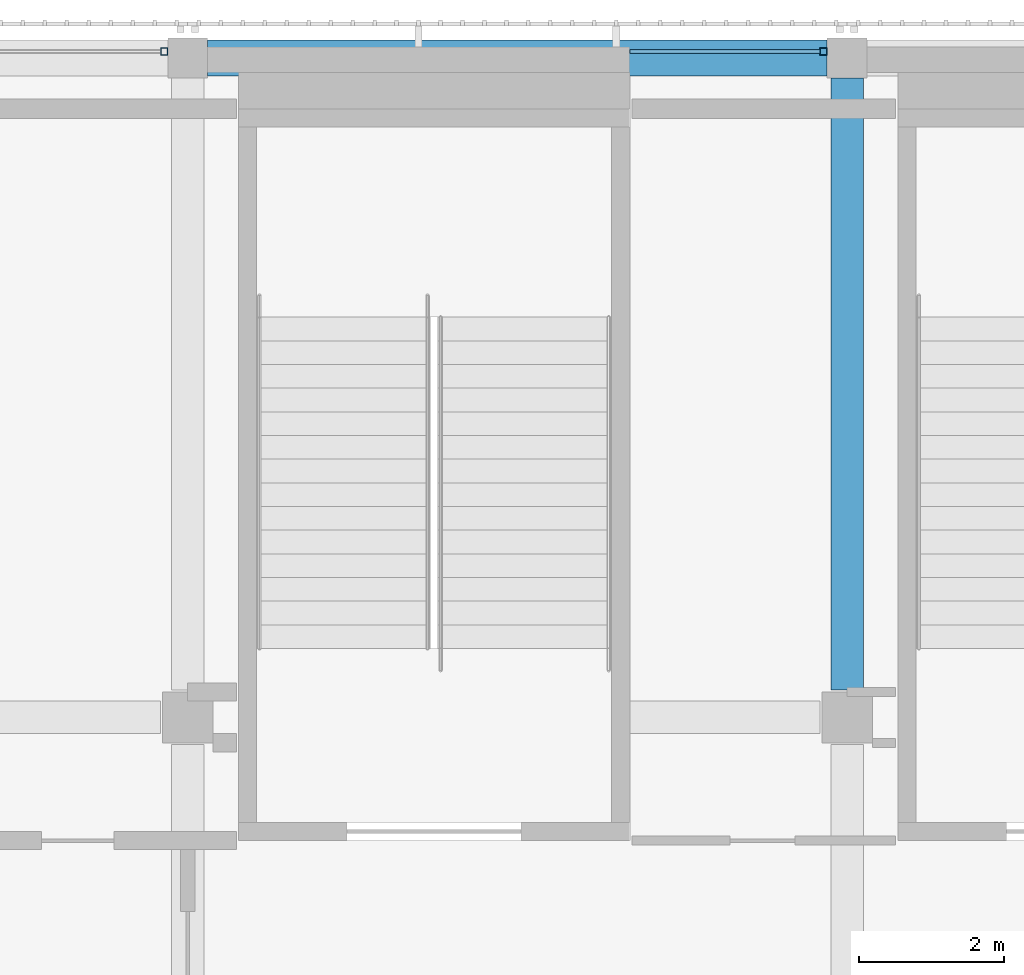
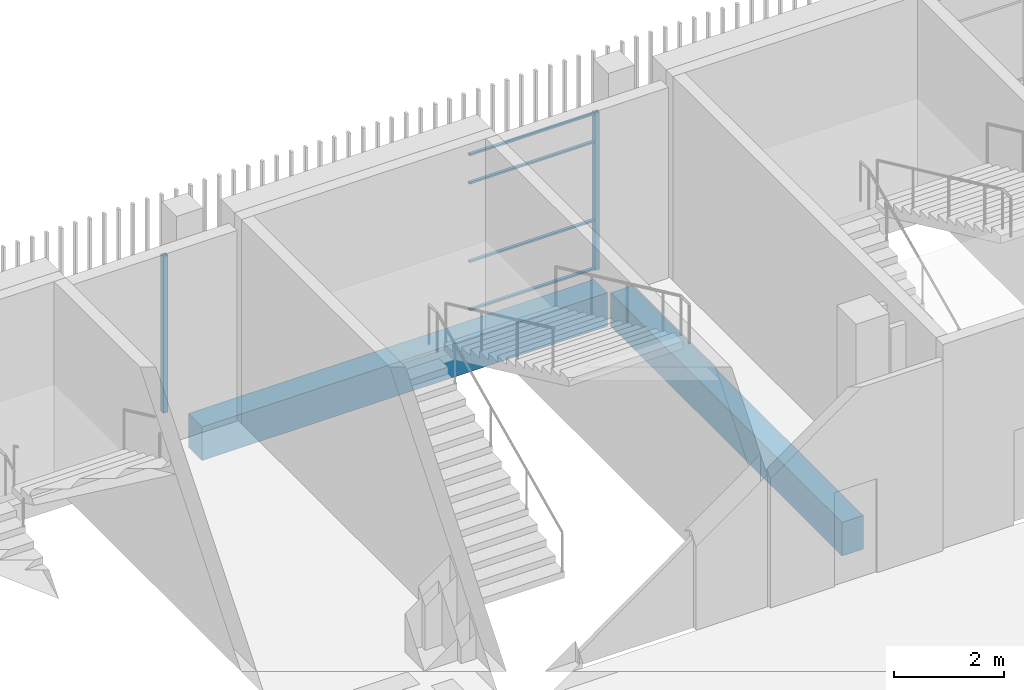
# One storey, part 28 of 126: 6 members, 2 beams, 2 elements without a shape of their own.
"""IFC4 building model written with IfcOpenShell, lengths in metres."""

from ifc_helpers import new_model, si_unit, direction, frame, origin, origin_2d, place, context, subcontext, project, spatial, rectangle, hollow_rectangle, extrude, material, layer, layer_set, material_profile, profile_set, type_object, element, aggregate, save


model = new_model("IFC4")

# Units and contexts
model_context = context("Model", 3, precision=1e-05, world=origin(), true_north=direction((0.0, 1.0)))
body_context = subcontext(model_context, "Body", "Model", "MODEL_VIEW")
ifc_project = project(units=[si_unit("LENGTHUNIT", "METRE"), si_unit("AREAUNIT", "SQUARE_METRE"), si_unit("VOLUMEUNIT", "CUBIC_METRE"), si_unit("PLANEANGLEUNIT", "RADIAN"), si_unit("MASSUNIT", "GRAM", prefix="KILO")], contexts=[model_context])

# Site, building, storey
site_placement = place(None, origin())
site = spatial("IfcSite", under=ifc_project, at=site_placement, CompositionType="ELEMENT")
building_placement = place(site_placement, origin())
building = spatial("IfcBuilding", under=site, at=building_placement, Name="Shirokan Park Arena", CompositionType="ELEMENT")
storey_placement = place(building_placement, frame((0.0, 0.0, 6.3701171875)))
storey = spatial("IfcBuildingStorey", under=building, at=storey_placement, Name="L01", CompositionType="ELEMENT", Elevation=6.3701171875)

# Curtain wall, member
ifc_material_1 = material(Name="Steel and glass curtain wall", Category="steel")
ifc_layer = layer(ifc_material_1, 0.1201171875)
ifc_layer_set = layer_set([ifc_layer], Name="Steel and glass curtain wall 120 mm")
curtain_wall_type = type_object("IfcCurtainWallType", Name="Curtain wall corner block side bay 120", PredefinedType="NOTDEFINED", material=ifc_layer_set)
curtain_wall_1_placement = place(storey_placement, origin())
curtain_wall_1 = element("IfcCurtainWall", 1, at=curtain_wall_1_placement, inside=storey, type_object=curtain_wall_type, Name="Curtain wall north bay 14 L01", PredefinedType="NOTDEFINED")
ifc_material_2 = material(Name="Steel S355", Category="steel")
ifc_material_profile_1 = material_profile(ifc_material_2, hollow_rectangle(XDim=0.10009765625, YDim=0.10009765625, WallThickness=0.006103515625, at=origin_2d()), Name="RHS 100x100x6")
ifc_profile_set_1 = profile_set([ifc_material_profile_1], Name="Steel S355")
member_type_1 = type_object("IfcMemberType", Name="Mullion RHS 100x100x6", PredefinedType="MULLION", material=ifc_profile_set_1)
member_1_placement = place(storey_placement, frame((26.97509765625, 109.2900390625, 0.0), z_axis=(0.0, 0.0, 1.0), x_axis=(0.0, -1.0, 0.0)))
member_1 = element("IfcMember", 2, at=member_1_placement, type_object=member_type_1, Name="CW3 mullion 1", PredefinedType="MULLION", context=body_context, shape_type="SweptSolid", body=[
    extrude(hollow_rectangle(XDim=0.10009765625, YDim=0.10009765625, WallThickness=0.006103515625, at=origin_2d()), origin(), (0.0, 0.0, 1.0), 3.5),
])

curtain_wall_2_placement = place(storey_placement, origin())
curtain_wall_2 = element("IfcCurtainWall", 3, at=curtain_wall_2_placement, inside=storey, type_object=curtain_wall_type, Name="Curtain wall north bay 15 L01", PredefinedType="NOTDEFINED")
member_2_placement = place(storey_placement, frame((17.875, 109.2900390625, 0.0), z_axis=(0.0, 0.0, 1.0), x_axis=(0.0, -1.0, 0.0)))
member_2 = element("IfcMember", 4, at=member_2_placement, type_object=member_type_1, Name="CW3 mullion 1", PredefinedType="MULLION", context=body_context, shape_type="SweptSolid", body=[
    extrude(hollow_rectangle(XDim=0.10009765625, YDim=0.10009765625, WallThickness=0.006103515625, at=origin_2d()), origin(), (0.0, 0.0, 1.0), 3.5),
])
aggregate(curtain_wall_2, [member_2])

# Beams
ifc_material_3 = material(Name="Concrete C35", Category="concrete")
ifc_material_profile_2 = material_profile(ifc_material_3, rectangle(XDim=0.449951171875, YDim=0.75, at=origin_2d()), Name="450x750")
ifc_profile_set_2 = profile_set([ifc_material_profile_2], Name="Concrete C35")
beam_type_1 = type_object("IfcBeamType", Name="RC girder 450x750", PredefinedType="BEAM", material=ifc_profile_set_2)
beam_1_placement = place(storey_placement, frame((27.300048828125, 100.47509765625, -0.72509765625), z_axis=(0.0, 1.0, 0.0), x_axis=(-1.0, 0.0, 0.0)))
element("IfcBeam", 5, at=beam_1_placement, inside=storey, type_object=beam_type_1, Name="Girder 4M-4N L01", PredefinedType="BEAM", context=body_context, shape_type="SweptSolid", body=[
    extrude(rectangle(XDim=0.449951171875, YDim=0.75, at=origin_2d()), origin(), (0.0, 0.0, 1.0), 8.44970703125),
])
ifc_material_profile_3 = material_profile(ifc_material_3, rectangle(XDim=0.5, YDim=0.75, at=origin_2d()), Name="500x750")
ifc_profile_set_3 = profile_set([ifc_material_profile_3], Name="Concrete C35")
beam_type_2 = type_object("IfcBeamType", Name="RC girder 500x750", PredefinedType="BEAM", material=ifc_profile_set_3)
beam_2_placement = place(storey_placement, frame((18.47509765625, 109.199951171875, -0.72509765625), z_axis=(1.0, 0.0, 0.0), x_axis=(0.0, 1.0, 0.0)))
element("IfcBeam", 6, at=beam_2_placement, inside=storey, type_object=beam_type_2, Name="Girder 3N-4N L01", PredefinedType="BEAM", context=body_context, shape_type="SweptSolid", body=[
    extrude(rectangle(XDim=0.5, YDim=0.75, at=origin_2d()), origin(), (0.0, 0.0, 1.0), 8.5498046875),
])

# Member
ifc_material_profile_4 = material_profile(ifc_material_2, hollow_rectangle(XDim=0.06005859375, YDim=0.0400390625, WallThickness=0.00390625, at=origin_2d()), Name="RHS 60x40x4")
ifc_profile_set_4 = profile_set([ifc_material_profile_4], Name="Steel S355")
member_type_2 = type_object("IfcMemberType", Name="Transom RHS 60x40x4", PredefinedType="MULLION", material=ifc_profile_set_4)
member_3_placement = place(storey_placement, frame((26.925048828125, 109.2900390625, 0.019775390625), z_axis=(-1.0, 0.0, 0.0), x_axis=(0.0, -1.0, 0.0)))
member_3 = element("IfcMember", 7, at=member_3_placement, type_object=member_type_2, Name="CW3 transom 1.1", PredefinedType="MULLION", context=body_context, shape_type="SweptSolid", body=[
    extrude(hollow_rectangle(XDim=0.06005859375, YDim=0.0400390625, WallThickness=0.00390625, at=origin_2d()), origin(), (0.0, 0.0, 1.0), 2.625),
])

member_4_placement = place(storey_placement, frame((26.925048828125, 109.2900390625, 1.099853515625), z_axis=(-1.0, 0.0, 0.0), x_axis=(0.0, -1.0, 0.0)))
member_4 = element("IfcMember", 8, at=member_4_placement, type_object=member_type_2, Name="CW3 transom 1.2", PredefinedType="MULLION", context=body_context, shape_type="SweptSolid", body=[
    extrude(hollow_rectangle(XDim=0.06005859375, YDim=0.0400390625, WallThickness=0.00390625, at=origin_2d()), origin(), (0.0, 0.0, 1.0), 2.625),
])

member_5_placement = place(storey_placement, frame((26.925048828125, 109.2900390625, 2.849853515625), z_axis=(-1.0, 0.0, 0.0), x_axis=(0.0, -1.0, 0.0)))
member_5 = element("IfcMember", 9, at=member_5_placement, type_object=member_type_2, Name="CW3 transom 1.3", PredefinedType="MULLION", context=body_context, shape_type="SweptSolid", body=[
    extrude(hollow_rectangle(XDim=0.06005859375, YDim=0.0400390625, WallThickness=0.00390625, at=origin_2d()), origin(), (0.0, 0.0, 1.0), 2.625),
])

member_6_placement = place(storey_placement, frame((26.925048828125, 109.2900390625, 3.47998046875), z_axis=(-1.0, 0.0, 0.0), x_axis=(0.0, -1.0, 0.0)))
member_6 = element("IfcMember", 10, at=member_6_placement, type_object=member_type_2, Name="CW3 transom 1.4", PredefinedType="MULLION", context=body_context, shape_type="SweptSolid", body=[
    extrude(hollow_rectangle(XDim=0.06005859375, YDim=0.0400390625, WallThickness=0.00390625, at=origin_2d()), origin(), (0.0, 0.0, 1.0), 2.625),
])

aggregate(curtain_wall_1, [member_1, member_3, member_4, member_5, member_6])

save(model, "model.ifc")
